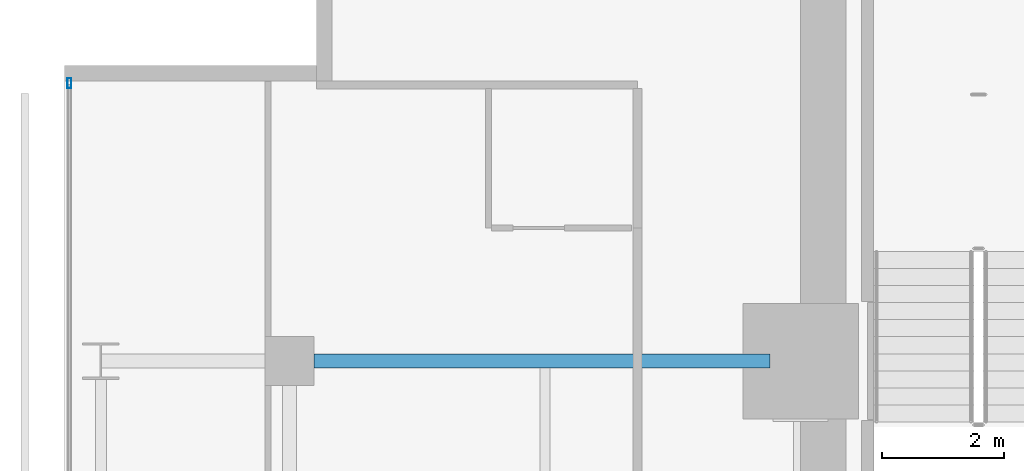
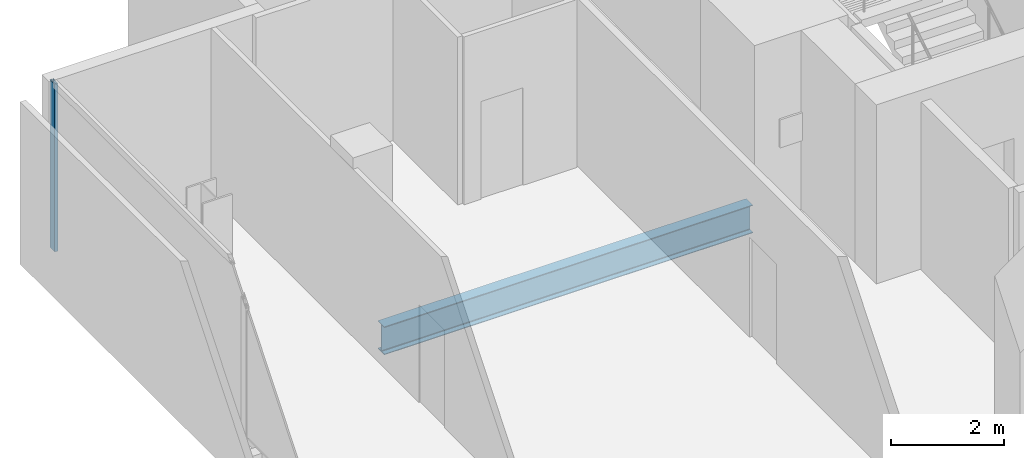
# One storey, part 20 of 33: 1 beam, 1 member, 1 element without a shape of its own.
"""IFC4 building model written with IfcOpenShell, lengths in metres."""

from ifc_helpers import new_model, si_unit, direction, frame, origin, origin_2d, place, context, subcontext, project, spatial, hollow_rectangle, i_section, extrude, material, layer, layer_set, material_profile, profile_set, type_object, element, aggregate, save


model = new_model("IFC4")

# Units and contexts
model_context = context("Model", 3, precision=1e-05, world=origin(), true_north=direction((0.0, 1.0)))
body_context = subcontext(model_context, "Body", "Model", "MODEL_VIEW")
ifc_project = project(units=[si_unit("LENGTHUNIT", "METRE"), si_unit("AREAUNIT", "SQUARE_METRE"), si_unit("VOLUMEUNIT", "CUBIC_METRE"), si_unit("PLANEANGLEUNIT", "RADIAN"), si_unit("MASSUNIT", "GRAM", prefix="KILO")], contexts=[model_context])

# Site, building, storey
site_placement = place(None, origin())
site = spatial("IfcSite", under=ifc_project, at=site_placement, CompositionType="ELEMENT")
building_placement = place(site_placement, origin())
building = spatial("IfcBuilding", under=site, at=building_placement, Name="Maruvema Waterfront Hotel and Observation Tower", CompositionType="ELEMENT")
storey_placement = place(building_placement, frame((0.0, 0.0, 169.75)))
storey = spatial("IfcBuildingStorey", under=building, at=storey_placement, Name="L41", CompositionType="ELEMENT", Elevation=169.75)

# Curtain wall, member
ifc_material_1 = material(Name="Anodised bronze aluminium and solar-control low-E IGU", Category="aluminium")
ifc_layer = layer(ifc_material_1, 0.159912109375, Name="Zone 2 Amber Inner Thermal Curtain Wall System CW-03")
ifc_layer_set = layer_set([ifc_layer], Name="Anodised bronze aluminium and solar-control low-E IGU")
curtain_wall_type = type_object("IfcCurtainWallType", Name="Zone 2 Amber Inner Thermal Curtain Wall System CW-03", PredefinedType="USERDEFINED", material=ifc_layer_set)
curtain_wall_placement = place(storey_placement, origin())
curtain_wall = element("IfcCurtainWall", 1, at=curtain_wall_placement, inside=storey, type_object=curtain_wall_type, Name="L41 Curtain Wall CW-L41-W", ObjectType="UNITISED CURTAIN WALL", PredefinedType="USERDEFINED")
ifc_material_2 = material(Name="Anodised architectural bronze aluminium", Category="aluminium")
ifc_material_profile_1 = material_profile(ifc_material_2, hollow_rectangle(XDim=0.06494140625, YDim=0.1650390625, WallThickness=0.00390625, at=origin_2d()), Name="ALU-M65x165")
ifc_profile_set_1 = profile_set([ifc_material_profile_1], Name="Anodised architectural bronze aluminium")
member_type = type_object("IfcMemberType", Name="Curtain Wall Primary Mullion ALU-M65x165", PredefinedType="MULLION", material=ifc_profile_set_1)
member_placement = place(storey_placement, frame((13.179931640625, 49.570068359375, 0.0), z_axis=(0.0, 0.0, 1.0), x_axis=(1.0, 0.0, 0.0)))
member = element("IfcMember", 2, at=member_placement, type_object=member_type, Name="CW-03 mullion 1", PredefinedType="MULLION", context=body_context, shape_type="SweptSolid", body=[
    extrude(hollow_rectangle(XDim=0.06494140625, YDim=0.1650390625, WallThickness=0.00390625, at=origin_2d()), origin(), (0.0, 0.0, 1.0), 3.610107421875),
])
aggregate(curtain_wall, [member])

# Beam
ifc_material_3 = material(Name="Steel ASTM A572 Grade 50", Category="steel")
ifc_material_profile_2 = material_profile(ifc_material_3, i_section(OverallWidth=0.22802734375, OverallDepth=0.60302734375, WebThickness=0.010498046875, FlangeThickness=0.014892578125, FilletRadius=0.01806640625, at=origin_2d()), Name="W610x101.0")
ifc_profile_set_2 = profile_set([ifc_material_profile_2], Name="Steel ASTM A572 Grade 50")
beam_type = type_object("IfcBeamType", Name="Primary Floor Girder W610x101.0", PredefinedType="BEAM", material=ifc_profile_set_2)
beam_placement = place(storey_placement, frame((17.199951171875, 45.0, -0.54150390625), z_axis=(1.0, 0.0, 0.0), x_axis=(0.0, 1.0, 0.0)))
element("IfcBeam", 3, at=beam_placement, inside=storey, type_object=beam_type, Name="L41 Floor Girder EW-31", PredefinedType="BEAM", context=body_context, shape_type="SweptSolid", body=[
    extrude(i_section(OverallWidth=0.22802734375, OverallDepth=0.60302734375, WebThickness=0.010498046875, FlangeThickness=0.014892578125, FilletRadius=0.01806640625, at=origin_2d()), origin(), (0.0, 0.0, 1.0), 7.5),
])

save(model, "model.ifc")
